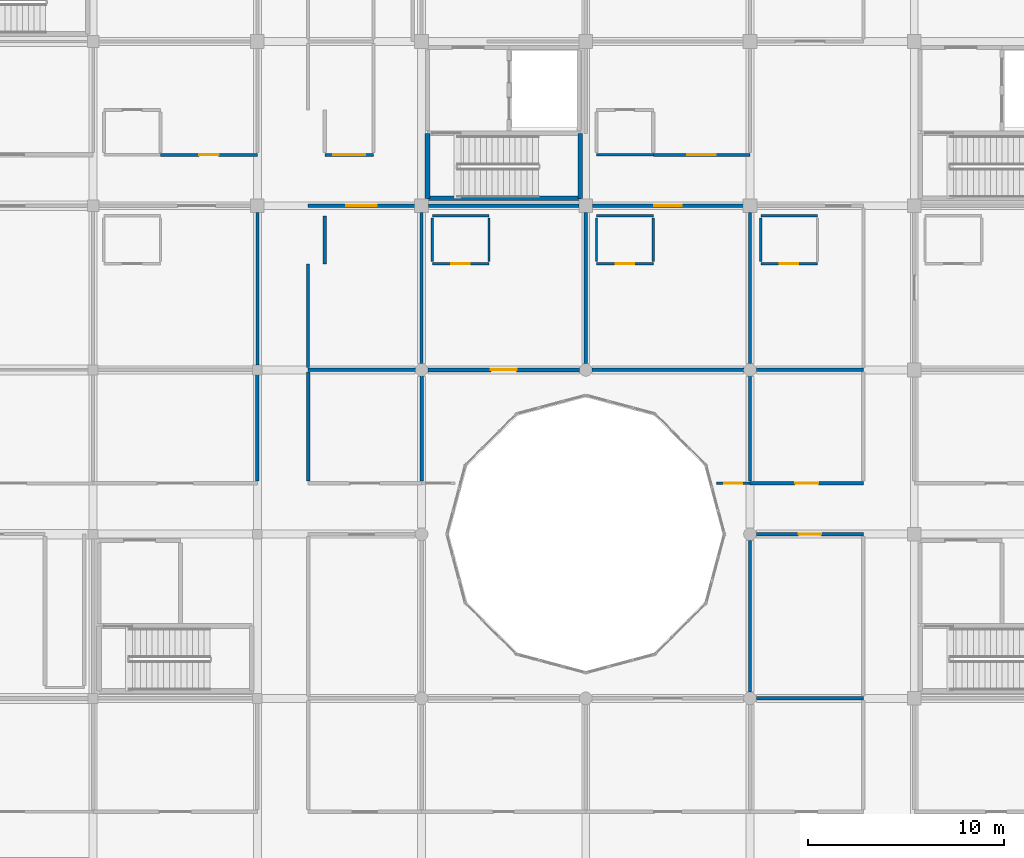
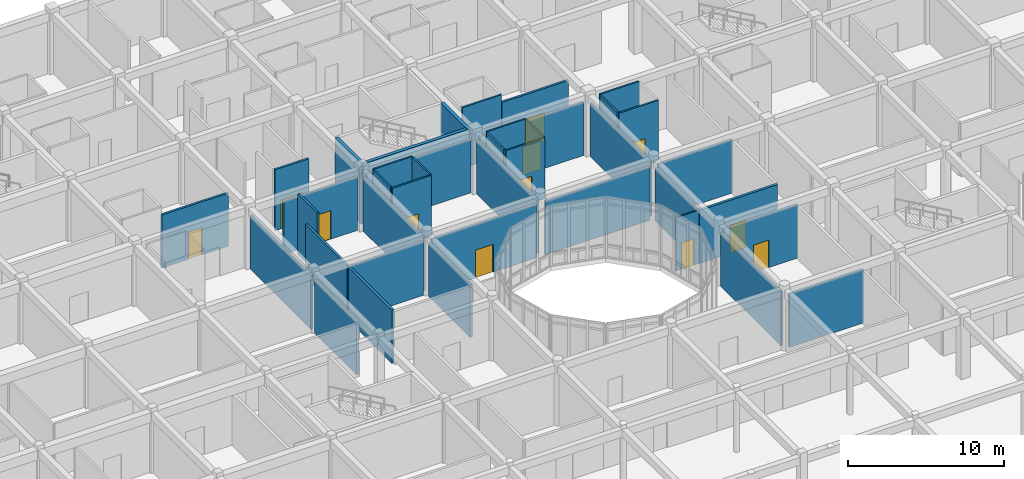
# One storey, part 102 of 134: 40 walls, 12 doors, 12 openings.
"""IFC4 building model written with IfcOpenShell, lengths in metres."""

from ifc_helpers import new_model, si_unit, direction, frame, frame_2d, origin, place, context, subcontext, project, spatial, rectangle, extrude, material, layer, layer_set, type_object, element, fill, save


model = new_model("IFC4")

# Units and contexts
model_context = context("Model", 3, precision=1e-05, world=origin(), true_north=direction((0.0, 1.0)))
body_context = subcontext(model_context, "Body", "Model", "MODEL_VIEW")
ifc_project = project(units=[si_unit("LENGTHUNIT", "METRE"), si_unit("AREAUNIT", "SQUARE_METRE"), si_unit("VOLUMEUNIT", "CUBIC_METRE"), si_unit("PLANEANGLEUNIT", "RADIAN"), si_unit("MASSUNIT", "GRAM", prefix="KILO")], contexts=[model_context])

# Site, building, storey
site_placement = place(None, origin())
site = spatial("IfcSite", under=ifc_project, at=site_placement, CompositionType="ELEMENT")
building_placement = place(site_placement, origin())
building = spatial("IfcBuilding", under=site, at=building_placement, Name="Bramfleet General Hospital", CompositionType="ELEMENT")
storey_placement = place(building_placement, frame((0.0, 0.0, 9.300048828125)))
storey = spatial("IfcBuildingStorey", under=building, at=storey_placement, Name="L02", CompositionType="ELEMENT", Elevation=9.300048828125)

# Wall, opening, door
ifc_material_1 = material(Name="Concrete C35/45", Category="concrete")
ifc_layer_1 = layer(ifc_material_1, 0.18994140625, Name="WT-IW-03")
ifc_layer_set_1 = layer_set([ifc_layer_1], Name="Concrete C35/45")
wall_type_1 = type_object("IfcWallType", Name="WT-IW-03", PredefinedType="PARTITIONING", material=ifc_layer_set_1)
wall_1_placement = place(storey_placement, frame((75.919921875, 84.0, 0.0), z_axis=(0.0, 0.0, 1.0), x_axis=(1.0, 0.0, 0.0)))
wall_1 = element("IfcWall", 1, at=wall_1_placement, inside=storey, type_object=wall_type_1, Name="L02 Interior Partition IW-L02-2055", PredefinedType="PARTITIONING", context=body_context, shape_type="SweptSolid", body=[
    extrude(rectangle(XDim=7.760009765625, YDim=0.18994140625, at=frame_2d((3.8798828125, 0.0))), origin(), (0.0, 0.0, 1.0), 4.169921875),
])
opening_1_placement = place(wall_1_placement, frame((3.219970703125, 0.0, 0.0)))
opening_1 = element("IfcOpeningElement", 2, at=opening_1_placement, cuts=wall_1, Name="Opening D0920", PredefinedType="OPENING", context=body_context, shape_type="SweptSolid", body=[
    extrude(rectangle(XDim=1.320068359375, YDim=2.179931640625, at=frame_2d((0.66015625, 1.08984375))), frame((0.0, 0.10498046875, 0.0), z_axis=(0.0, -1.0, 0.0), x_axis=(1.0, 0.0, 0.0)), (0.0, 0.0, 1.0), 0.2099609375),
])
ifc_material_2 = material(Name="Stainless steel and acoustic timber leaf", Category="steel")
door_type_1 = type_object("IfcDoorType", Name="DR-D-24", OperationType="NOTDEFINED", PredefinedType="DOOR", material=ifc_material_2)
door_1_placement = place(opening_1_placement, origin())
door_1 = element("IfcDoor", 3, at=door_1_placement, inside=storey, type_object=door_type_1, Name="Intensive Care Unit Room L02-0910 Door D0920", OperationType="SINGLE_SWING_LEFT", OverallHeight=2.179931640625, OverallWidth=1.320068359375, PredefinedType="DOOR", context=body_context, shape_type="SweptSolid", body=[
    extrude(rectangle(XDim=1.320068359375, YDim=2.179931640625, at=frame_2d((0.66015625, 1.08984375))), frame((0.0, 0.02490234375, 0.0), z_axis=(0.0, -1.0, 0.0), x_axis=(1.0, 0.0, 0.0)), (0.0, 0.0, 1.0), 0.050048828125),
])
fill(opening_1, door_1)

# Wall
ifc_layer_2 = layer(ifc_material_1, 0.179931640625, Name="WT-IW-04")
ifc_layer_set_2 = layer_set([ifc_layer_2], Name="Concrete C35/45")
wall_type_2 = type_object("IfcWallType", Name="WT-IW-04", PredefinedType="PARTITIONING", material=ifc_layer_set_2)
wall_2_placement = place(storey_placement, frame((92.719970703125, 67.199951171875, 0.0), z_axis=(0.0, 0.0, 1.0), x_axis=(1.0, 0.0, 0.0)))
element("IfcWall", 4, at=wall_2_placement, inside=storey, type_object=wall_type_2, Name="L02 Interior Partition IW-L02-2011", PredefinedType="PARTITIONING", context=body_context, shape_type="SweptSolid", body=[
    extrude(rectangle(XDim=5.47998046875, YDim=0.179931640625, at=frame_2d((2.739990234375, 0.0))), origin(), (0.0, 0.0, 1.0), 4.169921875),
])

# Wall, opening, door
wall_3_placement = place(storey_placement, frame((92.719970703125, 75.60009765625, 0.0), z_axis=(0.0, 0.0, 1.0), x_axis=(1.0, 0.0, 0.0)))
wall_3 = element("IfcWall", 5, at=wall_3_placement, inside=storey, type_object=wall_type_2, Name="L02 Interior Partition IW-L02-2024", PredefinedType="PARTITIONING", context=body_context, shape_type="SweptSolid", body=[
    extrude(rectangle(XDim=5.47998046875, YDim=0.179931640625, at=frame_2d((2.739990234375, 0.0))), origin(), (0.0, 0.0, 1.0), 4.169921875),
])
opening_2_placement = place(wall_3_placement, frame((2.1650390625, 0.0, 0.0)))
opening_2 = element("IfcOpeningElement", 6, at=opening_2_placement, cuts=wall_3, Name="Opening D0940", PredefinedType="OPENING", context=body_context, shape_type="SweptSolid", body=[
    extrude(rectangle(XDim=1.14990234375, YDim=2.14990234375, at=frame_2d((0.574951171875, 1.074951171875))), frame((0.0, 0.099853515625, 0.0), z_axis=(0.0, -1.0, 0.0), x_axis=(1.0, 0.0, 0.0)), (0.0, 0.0, 1.0), 0.199951171875),
])
door_type_2 = type_object("IfcDoorType", Name="DR-D-12", OperationType="NOTDEFINED", PredefinedType="DOOR", material=ifc_material_2)
door_2_placement = place(opening_2_placement, origin())
door_2 = element("IfcDoor", 7, at=door_2_placement, inside=storey, type_object=door_type_2, Name="Interventional Cardiology Cath Lab L02-1108 Door D0940", OperationType="SINGLE_SWING_LEFT", OverallHeight=2.14990234375, OverallWidth=1.14990234375, PredefinedType="DOOR", context=body_context, shape_type="SweptSolid", body=[
    extrude(rectangle(XDim=1.14990234375, YDim=2.14990234375, at=frame_2d((0.574951171875, 1.074951171875))), frame((0.0, 0.02490234375, 0.0), z_axis=(0.0, -1.0, 0.0), x_axis=(1.0, 0.0, 0.0)), (0.0, 0.0, 1.0), 0.050048828125),
])
fill(opening_2, door_2)

wall_4_placement = place(storey_placement, frame((92.39990234375, 78.199951171875, 0.0), z_axis=(0.0, 0.0, 1.0), x_axis=(1.0, 0.0, 0.0)))
wall_4 = element("IfcWall", 8, at=wall_4_placement, inside=storey, type_object=wall_type_2, Name="L02 Interior Partition IW-L02-2040", PredefinedType="PARTITIONING", context=body_context, shape_type="SweptSolid", body=[
    extrude(rectangle(XDim=5.800048828125, YDim=0.179931640625, at=frame_2d((2.89990234375, 0.0))), origin(), (0.0, 0.0, 1.0), 4.169921875),
])
opening_3_placement = place(wall_4_placement, frame((2.300048828125, 0.0, 0.0)))
opening_3 = element("IfcOpeningElement", 9, at=opening_3_placement, cuts=wall_4, Name="Opening D0941", PredefinedType="OPENING", context=body_context, shape_type="SweptSolid", body=[
    extrude(rectangle(XDim=1.199951171875, YDim=2.14990234375, at=frame_2d((0.60009765625, 1.074951171875))), frame((0.0, 0.099853515625, 0.0), z_axis=(0.0, -1.0, 0.0), x_axis=(1.0, 0.0, 0.0)), (0.0, 0.0, 1.0), 0.199951171875),
])
door_type_3 = type_object("IfcDoorType", Name="DR-D-13", OperationType="NOTDEFINED", PredefinedType="DOOR", material=ifc_material_2)
door_3_placement = place(opening_3_placement, origin())
door_3 = element("IfcDoor", 10, at=door_3_placement, inside=storey, type_object=door_type_3, Name="Interventional Cardiology Cath Lab L02-1109 Door D0941", OperationType="SINGLE_SWING_RIGHT", OverallHeight=2.14990234375, OverallWidth=1.199951171875, PredefinedType="DOOR", context=body_context, shape_type="SweptSolid", body=[
    extrude(rectangle(XDim=1.199951171875, YDim=2.14990234375, at=frame_2d((0.60009765625, 1.074951171875))), frame((0.0, 0.02490234375, 0.0), z_axis=(0.0, -1.0, 0.0), x_axis=(1.0, 0.0, 0.0)), (0.0, 0.0, 1.0), 0.050048828125),
])
fill(opening_3, door_3)

# Walls
wall_5_placement = place(storey_placement, frame((69.800048828125, 84.0, 0.0), z_axis=(0.0, 0.0, 1.0), x_axis=(1.0, 0.0, 0.0)))
element("IfcWall", 11, at=wall_5_placement, inside=storey, type_object=wall_type_2, Name="L02 Interior Partition IW-L02-2054", PredefinedType="PARTITIONING", context=body_context, shape_type="SweptSolid", body=[
    extrude(rectangle(XDim=5.47998046875, YDim=0.179931640625, at=frame_2d((2.739990234375, 0.0))), origin(), (0.0, 0.0, 1.0), 4.169921875),
])
wall_6_placement = place(storey_placement, frame((84.320068359375, 84.0, 0.0), z_axis=(0.0, 0.0, 1.0), x_axis=(1.0, 0.0, 0.0)))
element("IfcWall", 12, at=wall_6_placement, inside=storey, type_object=wall_type_2, Name="L02 Interior Partition IW-L02-2056", PredefinedType="PARTITIONING", context=body_context, shape_type="SweptSolid", body=[
    extrude(rectangle(XDim=7.760009765625, YDim=0.179931640625, at=frame_2d((3.8798828125, 0.0))), origin(), (0.0, 0.0, 1.0), 4.169921875),
])
wall_7_placement = place(storey_placement, frame((92.719970703125, 84.0, 0.0), z_axis=(0.0, 0.0, 1.0), x_axis=(1.0, 0.0, 0.0)))
element("IfcWall", 13, at=wall_7_placement, inside=storey, type_object=wall_type_2, Name="L02 Interior Partition IW-L02-2057", PredefinedType="PARTITIONING", context=body_context, shape_type="SweptSolid", body=[
    extrude(rectangle(XDim=5.47998046875, YDim=0.179931640625, at=frame_2d((2.739990234375, 0.0))), origin(), (0.0, 0.0, 1.0), 4.169921875),
])
wall_8_placement = place(storey_placement, frame((67.199951171875, 78.31494140625, 0.0), z_axis=(0.0, 0.0, 1.0), x_axis=(0.0, 1.0, 0.0)))
element("IfcWall", 14, at=wall_8_placement, inside=storey, type_object=wall_type_2, Name="L02 Interior Partition IW-L02-2288", PredefinedType="PARTITIONING", context=body_context, shape_type="SweptSolid", body=[
    extrude(rectangle(XDim=5.43994140625, YDim=0.179931640625, at=frame_2d((2.719970703125, 0.0))), origin(), (0.0, 0.0, 1.0), 4.169921875),
])
wall_9_placement = place(storey_placement, frame((69.800048828125, 78.31494140625, 0.0), z_axis=(0.0, 0.0, 1.0), x_axis=(0.0, 1.0, 0.0)))
element("IfcWall", 15, at=wall_9_placement, inside=storey, type_object=wall_type_2, Name="L02 Interior Partition IW-L02-2295", PredefinedType="PARTITIONING", context=body_context, shape_type="SweptSolid", body=[
    extrude(rectangle(XDim=5.570068359375, YDim=0.179931640625, at=frame_2d((2.78515625, 0.0))), origin(), (0.0, 0.0, 1.0), 4.169921875),
])
wall_10_placement = place(storey_placement, frame((75.60009765625, 78.31494140625, 0.0), z_axis=(0.0, 0.0, 1.0), x_axis=(0.0, 1.0, 0.0)))
element("IfcWall", 16, at=wall_10_placement, inside=storey, type_object=wall_type_2, Name="L02 Interior Partition IW-L02-2309", PredefinedType="PARTITIONING", context=body_context, shape_type="SweptSolid", body=[
    extrude(rectangle(XDim=5.364990234375, YDim=0.179931640625, at=frame_2d((2.6826171875, 0.0))), origin(), (0.0, 0.0, 1.0), 4.169921875),
])
ifc_material_3 = material(Name="Gypsum plasterboard on acoustic steel studs", Category="steel")
ifc_layer_3 = layer(ifc_material_3, 0.169921875, Name="WT-IW-05")
ifc_layer_set_3 = layer_set([ifc_layer_3], Name="Gypsum plasterboard on acoustic steel studs")
wall_type_3 = type_object("IfcWallType", Name="WT-IW-05", PredefinedType="PARTITIONING", material=ifc_layer_set_3)
wall_11_placement = place(storey_placement, frame((92.39990234375, 67.52001953125, 0.0), z_axis=(0.0, 0.0, 1.0), x_axis=(0.0, 1.0, 0.0)))
element("IfcWall", 17, at=wall_11_placement, inside=storey, type_object=wall_type_3, Name="L02 Interior Partition IW-L02-2333", PredefinedType="PARTITIONING", context=body_context, shape_type="SweptSolid", body=[
    extrude(rectangle(XDim=7.760009765625, YDim=0.169921875, at=frame_2d((3.8798828125, 0.0))), origin(), (0.0, 0.0, 1.0), 4.169921875),
])

# Wall, opening, door
ifc_layer_4 = layer(ifc_material_3, 0.159912109375, Name="WT-IW-06")
ifc_layer_set_4 = layer_set([ifc_layer_4], Name="Gypsum plasterboard on acoustic steel studs")
wall_type_4 = type_object("IfcWallType", Name="WT-IW-06", PredefinedType="PARTITIONING", material=ifc_layer_set_4)
wall_12_placement = place(storey_placement, frame((69.800048828125, 92.39990234375, 0.0), z_axis=(0.0, 0.0, 1.0), x_axis=(1.0, 0.0, 0.0)))
wall_12 = element("IfcWall", 18, at=wall_12_placement, inside=storey, type_object=wall_type_4, Name="L02 Interior Partition IW-L02-2083", PredefinedType="PARTITIONING", context=body_context, shape_type="SweptSolid", body=[
    extrude(rectangle(XDim=5.454833984375, YDim=0.159912109375, at=frame_2d((2.7275390625, 0.0))), origin(), (0.0, 0.0, 1.0), 4.169921875),
])
opening_4_placement = place(wall_12_placement, frame((1.95751953125, 0.0, 0.0)))
opening_4 = element("IfcOpeningElement", 19, at=opening_4_placement, cuts=wall_12, Name="Opening D0913", PredefinedType="OPENING", context=body_context, shape_type="SweptSolid", body=[
    extrude(rectangle(XDim=1.5400390625, YDim=2.239990234375, at=frame_2d((0.77001953125, 1.1201171875))), frame((0.0, 0.08984375, 0.0), z_axis=(0.0, -1.0, 0.0), x_axis=(1.0, 0.0, 0.0)), (0.0, 0.0, 1.0), 0.179931640625),
])
door_type_4 = type_object("IfcDoorType", Name="DR-D-17", OperationType="NOTDEFINED", PredefinedType="DOOR", material=ifc_material_2)
door_4_placement = place(opening_4_placement, origin())
door_4 = element("IfcDoor", 20, at=door_4_placement, inside=storey, type_object=door_type_4, Name="Intensive Care Unit Room L02-0810 Door D0913", OperationType="SINGLE_SWING_RIGHT", OverallHeight=2.239990234375, OverallWidth=1.5400390625, PredefinedType="DOOR", context=body_context, shape_type="SweptSolid", body=[
    extrude(rectangle(XDim=1.5400390625, YDim=2.239990234375, at=frame_2d((0.77001953125, 1.1201171875))), frame((0.0, 0.02490234375, 0.0), z_axis=(0.0, -1.0, 0.0), x_axis=(1.0, 0.0, 0.0)), (0.0, 0.0, 1.0), 0.050048828125),
])
fill(opening_4, door_4)

# Wall
wall_13_placement = place(storey_placement, frame((75.945068359375, 92.39990234375, 0.0), z_axis=(0.0, 0.0, 1.0), x_axis=(1.0, 0.0, 0.0)))
element("IfcWall", 21, at=wall_13_placement, inside=storey, type_object=wall_type_4, Name="L02 Interior Partition IW-L02-2084", PredefinedType="PARTITIONING", context=body_context, shape_type="SweptSolid", body=[
    extrude(rectangle(XDim=7.7099609375, YDim=0.159912109375, at=frame_2d((3.85498046875, 0.0))), origin(), (0.0, 0.0, 1.0), 4.169921875),
])

# Wall, opening, door
wall_14_placement = place(storey_placement, frame((84.344970703125, 92.39990234375, 0.0), z_axis=(0.0, 0.0, 1.0), x_axis=(1.0, 0.0, 0.0)))
wall_14 = element("IfcWall", 22, at=wall_14_placement, inside=storey, type_object=wall_type_4, Name="L02 Interior Partition IW-L02-2085", PredefinedType="PARTITIONING", context=body_context, shape_type="SweptSolid", body=[
    extrude(rectangle(XDim=7.7099609375, YDim=0.159912109375, at=frame_2d((3.85498046875, 0.0))), origin(), (0.0, 0.0, 1.0), 4.169921875),
])
opening_5_placement = place(wall_14_placement, frame((3.155029296875, 0.0, 0.0)))
opening_5 = element("IfcOpeningElement", 23, at=opening_5_placement, cuts=wall_14, Name="Opening D0929", PredefinedType="OPENING", context=body_context, shape_type="SweptSolid", body=[
    extrude(rectangle(XDim=1.39990234375, YDim=2.199951171875, at=frame_2d((0.699951171875, 1.10009765625))), frame((0.0, 0.08984375, 0.0), z_axis=(0.0, -1.0, 0.0), x_axis=(1.0, 0.0, 0.0)), (0.0, 0.0, 1.0), 0.179931640625),
])
door_type_5 = type_object("IfcDoorType", Name="DR-D-01", OperationType="NOTDEFINED", PredefinedType="DOOR", material=ifc_material_2)
door_5_placement = place(opening_5_placement, origin())
door_5 = element("IfcDoor", 24, at=door_5_placement, inside=storey, type_object=door_type_5, Name="Intensive Care Unit Room L02-1010 Door D0929", OperationType="SINGLE_SWING_RIGHT", OverallHeight=2.199951171875, OverallWidth=1.39990234375, PredefinedType="DOOR", context=body_context, shape_type="SweptSolid", body=[
    extrude(rectangle(XDim=1.39990234375, YDim=2.199951171875, at=frame_2d((0.699951171875, 1.10009765625))), frame((0.0, 0.02490234375, 0.0), z_axis=(0.0, -1.0, 0.0), x_axis=(1.0, 0.0, 0.0)), (0.0, 0.0, 1.0), 0.050048828125),
])
fill(opening_5, door_5)

wall_15_placement = place(storey_placement, frame((62.25, 95.0, 0.0), z_axis=(0.0, 0.0, 1.0), x_axis=(1.0, 0.0, 0.0)))
wall_15 = element("IfcWall", 25, at=wall_15_placement, inside=storey, type_object=wall_type_4, Name="L02 Interior Partition IW-L02-2103", PredefinedType="PARTITIONING", context=body_context, shape_type="SweptSolid", body=[
    extrude(rectangle(XDim=4.949951171875, YDim=0.159912109375, at=frame_2d((2.47509765625, 0.0))), origin(), (0.0, 0.0, 1.0), 4.169921875),
])
opening_6_placement = place(wall_15_placement, frame((1.97509765625, 0.0, 0.0)))
opening_6 = element("IfcOpeningElement", 26, at=opening_6_placement, cuts=wall_15, Name="Opening D0904", PredefinedType="OPENING", context=body_context, shape_type="SweptSolid", body=[
    extrude(rectangle(XDim=1.0, YDim=2.14990234375, at=frame_2d((0.5, 1.074951171875))), frame((0.0, 0.08984375, 0.0), z_axis=(0.0, -1.0, 0.0), x_axis=(1.0, 0.0, 0.0)), (0.0, 0.0, 1.0), 0.179931640625),
])
door_type_6 = type_object("IfcDoorType", Name="DR-D-08", OperationType="NOTDEFINED", PredefinedType="DOOR", material=ifc_material_2)
door_6_placement = place(opening_6_placement, origin())
door_6 = element("IfcDoor", 27, at=door_6_placement, inside=storey, type_object=door_type_6, Name="Intensive Care Unit Room L02-0711 Door D0904", OperationType="SINGLE_SWING_LEFT", OverallHeight=2.14990234375, OverallWidth=1.0, PredefinedType="DOOR", context=body_context, shape_type="SweptSolid", body=[
    extrude(rectangle(XDim=1.0, YDim=2.14990234375, at=frame_2d((0.5, 1.074951171875))), frame((0.0, 0.02490234375, 0.0), z_axis=(0.0, -1.0, 0.0), x_axis=(1.0, 0.0, 0.0)), (0.0, 0.0, 1.0), 0.050048828125),
])
fill(opening_6, door_6)

wall_16_placement = place(storey_placement, frame((70.64990234375, 95.0, 0.0), z_axis=(0.0, 0.0, 1.0), x_axis=(1.0, 0.0, 0.0)))
wall_16 = element("IfcWall", 28, at=wall_16_placement, inside=storey, type_object=wall_type_4, Name="L02 Interior Partition IW-L02-2104", PredefinedType="PARTITIONING", context=body_context, shape_type="SweptSolid", body=[
    extrude(rectangle(XDim=2.5, YDim=0.159912109375, at=frame_2d((1.25, 0.0))), origin(), (0.0, 0.0, 1.0), 4.77001953125),
])
opening_7_placement = place(wall_16_placement, frame((0.429931640625, 0.0, 0.0)))
opening_7 = element("IfcOpeningElement", 29, at=opening_7_placement, cuts=wall_16, Name="Opening D0914", PredefinedType="OPENING", context=body_context, shape_type="SweptSolid", body=[
    extrude(rectangle(XDim=1.639892578125, YDim=2.280029296875, at=frame_2d((0.81982421875, 1.14013671875))), frame((0.0, 0.08984375, 0.0), z_axis=(0.0, -1.0, 0.0), x_axis=(1.0, 0.0, 0.0)), (0.0, 0.0, 1.0), 0.179931640625),
])
door_type_7 = type_object("IfcDoorType", Name="DR-D-18", OperationType="NOTDEFINED", PredefinedType="DOOR", material=ifc_material_2)
door_7_placement = place(opening_7_placement, origin())
door_7 = element("IfcDoor", 30, at=door_7_placement, inside=storey, type_object=door_type_7, Name="Intensive Care Unit Room L02-0811 Door D0914", OperationType="DOUBLE_SWING_LEFT", OverallHeight=2.280029296875, OverallWidth=1.639892578125, PredefinedType="DOOR", context=body_context, shape_type="SweptSolid", body=[
    extrude(rectangle(XDim=1.639892578125, YDim=2.280029296875, at=frame_2d((0.81982421875, 1.14013671875))), frame((0.0, 0.02490234375, 0.0), z_axis=(0.0, -1.0, 0.0), x_axis=(1.0, 0.0, 0.0)), (0.0, 0.0, 1.0), 0.050048828125),
])
fill(opening_7, door_7)

wall_17_placement = place(storey_placement, frame((87.449951171875, 95.0, 0.0), z_axis=(0.0, 0.0, 1.0), x_axis=(1.0, 0.0, 0.0)))
wall_17 = element("IfcWall", 31, at=wall_17_placement, inside=storey, type_object=wall_type_4, Name="L02 Interior Partition IW-L02-2106", PredefinedType="PARTITIONING", context=body_context, shape_type="SweptSolid", body=[
    extrude(rectangle(XDim=4.949951171875, YDim=0.159912109375, at=frame_2d((2.47509765625, 0.0))), origin(), (0.0, 0.0, 1.0), 4.169921875),
])
opening_8_placement = place(wall_17_placement, frame((1.75, 0.0, 0.0)))
opening_8 = element("IfcOpeningElement", 32, at=opening_8_placement, cuts=wall_17, Name="Opening D0931", PredefinedType="OPENING", context=body_context, shape_type="SweptSolid", body=[
    extrude(rectangle(XDim=1.449951171875, YDim=2.199951171875, at=frame_2d((0.72509765625, 1.10009765625))), frame((0.0, 0.08984375, 0.0), z_axis=(0.0, -1.0, 0.0), x_axis=(1.0, 0.0, 0.0)), (0.0, 0.0, 1.0), 0.179931640625),
])
door_type_8 = type_object("IfcDoorType", Name="DR-D-03", OperationType="NOTDEFINED", PredefinedType="DOOR", material=ifc_material_2)
door_8_placement = place(opening_8_placement, origin())
door_8 = element("IfcDoor", 33, at=door_8_placement, inside=storey, type_object=door_type_8, Name="Intensive Care Unit Room L02-1011 Door D0931", OperationType="SINGLE_SWING_RIGHT", OverallHeight=2.199951171875, OverallWidth=1.449951171875, PredefinedType="DOOR", context=body_context, shape_type="SweptSolid", body=[
    extrude(rectangle(XDim=1.449951171875, YDim=2.199951171875, at=frame_2d((0.72509765625, 1.10009765625))), frame((0.0, 0.02490234375, 0.0), z_axis=(0.0, -1.0, 0.0), x_axis=(1.0, 0.0, 0.0)), (0.0, 0.0, 1.0), 0.050048828125),
])
fill(opening_8, door_8)

# Walls
wall_18_placement = place(storey_placement, frame((67.199951171875, 84.2451171875, 0.0), z_axis=(0.0, 0.0, 1.0), x_axis=(0.0, 1.0, 0.0)))
element("IfcWall", 34, at=wall_18_placement, inside=storey, type_object=wall_type_4, Name="L02 Interior Partition IW-L02-2289", PredefinedType="PARTITIONING", context=body_context, shape_type="SweptSolid", body=[
    extrude(rectangle(XDim=7.809814453125, YDim=0.159912109375, at=frame_2d((3.90478515625, 0.0))), origin(), (0.0, 0.0, 1.0), 4.169921875),
])
wall_19_placement = place(storey_placement, frame((69.800048828125, 84.114990234375, 0.0), z_axis=(0.0, 0.0, 1.0), x_axis=(0.0, 1.0, 0.0)))
element("IfcWall", 35, at=wall_19_placement, inside=storey, type_object=wall_type_4, Name="L02 Interior Partition IW-L02-2296", PredefinedType="PARTITIONING", context=body_context, shape_type="SweptSolid", body=[
    extrude(rectangle(XDim=5.31494140625, YDim=0.159912109375, at=frame_2d((2.657470703125, 0.0))), origin(), (0.0, 0.0, 1.0), 4.169921875),
])
wall_20_placement = place(storey_placement, frame((70.64990234375, 89.429931640625, 0.0), z_axis=(0.0, 0.0, 1.0), x_axis=(0.0, 1.0, 0.0)))
element("IfcWall", 36, at=wall_20_placement, inside=storey, type_object=wall_type_4, Name="L02 Interior Partition IW-L02-2300", PredefinedType="PARTITIONING", context=body_context, shape_type="SweptSolid", body=[
    extrude(rectangle(XDim=2.449951171875, YDim=0.159912109375, at=frame_2d((1.22509765625, 0.0))), origin(), (0.0, 0.0, 1.0), 4.77001953125),
])
for number, where, z_axis, x_axis, name in (
    (37, (75.60009765625, 84.320068359375, 0.0), (0.0, 0.0, 1.0), (0.0, 1.0, 0.0), "L02 Interior Partition IW-L02-2310"),
    (38, (84.0, 84.320068359375, 0.0), (0.0, 0.0, 1.0), (0.0, 1.0, 0.0), "L02 Interior Partition IW-L02-2320"),
):
    element("IfcWall", number, at=place(storey_placement, frame(where, z_axis=z_axis, x_axis=x_axis)), inside=storey, type_object=wall_type_4, Name=name, PredefinedType="PARTITIONING", context=body_context, shape_type="SweptSolid", body=[
        extrude(rectangle(XDim=7.73486328125, YDim=0.159912109375, at=frame_2d((3.867431640625, 0.0))), origin(), (0.0, 0.0, 1.0), 4.169921875),
    ])
wall_21_placement = place(storey_placement, frame((92.39990234375, 78.31494140625, 0.0), z_axis=(0.0, 0.0, 1.0), x_axis=(0.0, 1.0, 0.0)))
element("IfcWall", 39, at=wall_21_placement, inside=storey, type_object=wall_type_4, Name="L02 Interior Partition IW-L02-2334", PredefinedType="PARTITIONING", context=body_context, shape_type="SweptSolid", body=[
    extrude(rectangle(XDim=5.364990234375, YDim=0.159912109375, at=frame_2d((2.6826171875, 0.0))), origin(), (0.0, 0.0, 1.0), 4.169921875),
])
wall_22_placement = place(storey_placement, frame((92.39990234375, 84.320068359375, 0.0), z_axis=(0.0, 0.0, 1.0), x_axis=(0.0, 1.0, 0.0)))
element("IfcWall", 40, at=wall_22_placement, inside=storey, type_object=wall_type_4, Name="L02 Interior Partition IW-L02-2335", PredefinedType="PARTITIONING", context=body_context, shape_type="SweptSolid", body=[
    extrude(rectangle(XDim=7.73486328125, YDim=0.159912109375, at=frame_2d((3.867431640625, 0.0))), origin(), (0.0, 0.0, 1.0), 4.169921875),
])

# Wall, opening, door
ifc_layer_5 = layer(ifc_material_3, 0.1201171875, Name="WT-IW-10")
ifc_layer_set_5 = layer_set([ifc_layer_5], Name="Gypsum plasterboard on acoustic steel studs")
wall_type_5 = type_object("IfcWallType", Name="WT-IW-10", PredefinedType="PARTITIONING", material=ifc_layer_set_5)
wall_23_placement = place(storey_placement, frame((76.14990234375, 89.429931640625, 0.0), z_axis=(0.0, 0.0, 1.0), x_axis=(1.0, 0.0, 0.0)))
wall_23 = element("IfcWall", 41, at=wall_23_placement, inside=storey, type_object=wall_type_5, Name="L02 Interior Partition IW-L02-2066", PredefinedType="PARTITIONING", context=body_context, shape_type="SweptSolid", body=[
    extrude(rectangle(XDim=2.900146484375, YDim=0.1201171875, at=frame_2d((1.4501953125, 0.0))), origin(), (0.0, 0.0, 1.0), 4.77001953125),
])
opening_9_placement = place(wall_23_placement, frame((0.97509765625, 0.0, 0.0)))
opening_9 = element("IfcOpeningElement", 42, at=opening_9_placement, cuts=wall_23, Name="Opening D0921", PredefinedType="OPENING", context=body_context, shape_type="SweptSolid", body=[
    extrude(rectangle(XDim=0.949951171875, YDim=2.10009765625, at=frame_2d((0.47509765625, 1.050048828125))), frame((0.0, 0.070068359375, 0.0), z_axis=(0.0, -1.0, 0.0), x_axis=(1.0, 0.0, 0.0)), (0.0, 0.0, 1.0), 0.14013671875),
])
door_type_9 = type_object("IfcDoorType", Name="DR-D-10", OperationType="NOTDEFINED", PredefinedType="DOOR", material=ifc_material_2)
door_9_placement = place(opening_9_placement, origin())
door_9 = element("IfcDoor", 43, at=door_9_placement, inside=storey, type_object=door_type_9, Name="Intensive Care En-Suite WC L02-0910 Door D0921", OperationType="SINGLE_SWING_LEFT", OverallHeight=2.10009765625, OverallWidth=0.949951171875, PredefinedType="DOOR", context=body_context, shape_type="SweptSolid", body=[
    extrude(rectangle(XDim=0.949951171875, YDim=2.10009765625, at=frame_2d((0.47509765625, 1.050048828125))), frame((0.0, 0.02490234375, 0.0), z_axis=(0.0, -1.0, 0.0), x_axis=(1.0, 0.0, 0.0)), (0.0, 0.0, 1.0), 0.050048828125),
])
fill(opening_9, door_9)

wall_24_placement = place(storey_placement, frame((84.550048828125, 89.429931640625, 0.0), z_axis=(0.0, 0.0, 1.0), x_axis=(1.0, 0.0, 0.0)))
wall_24 = element("IfcWall", 44, at=wall_24_placement, inside=storey, type_object=wall_type_5, Name="L02 Interior Partition IW-L02-2067", PredefinedType="PARTITIONING", context=body_context, shape_type="SweptSolid", body=[
    extrude(rectangle(XDim=2.89990234375, YDim=0.1201171875, at=frame_2d((1.449951171875, 0.0))), origin(), (0.0, 0.0, 1.0), 4.77001953125),
])
opening_10_placement = place(wall_24_placement, frame((0.97509765625, 0.0, 0.0)))
opening_10 = element("IfcOpeningElement", 45, at=opening_10_placement, cuts=wall_24, Name="Opening D0930", PredefinedType="OPENING", context=body_context, shape_type="SweptSolid", body=[
    extrude(rectangle(XDim=0.949951171875, YDim=2.10009765625, at=frame_2d((0.47509765625, 1.050048828125))), frame((0.0, 0.070068359375, 0.0), z_axis=(0.0, -1.0, 0.0), x_axis=(1.0, 0.0, 0.0)), (0.0, 0.0, 1.0), 0.14013671875),
])
door_10_placement = place(opening_10_placement, origin())
door_10 = element("IfcDoor", 46, at=door_10_placement, inside=storey, type_object=door_type_9, Name="Intensive Care En-Suite WC L02-1010 Door D0930", OperationType="SINGLE_SWING_LEFT", OverallHeight=2.10009765625, OverallWidth=0.949951171875, PredefinedType="DOOR", context=body_context, shape_type="SweptSolid", body=[
    extrude(rectangle(XDim=0.949951171875, YDim=2.10009765625, at=frame_2d((0.47509765625, 1.050048828125))), frame((0.0, 0.02490234375, 0.0), z_axis=(0.0, -1.0, 0.0), x_axis=(1.0, 0.0, 0.0)), (0.0, 0.0, 1.0), 0.050048828125),
])
fill(opening_10, door_10)

wall_25_placement = place(storey_placement, frame((92.949951171875, 89.429931640625, 0.0), z_axis=(0.0, 0.0, 1.0), x_axis=(1.0, 0.0, 0.0)))
wall_25 = element("IfcWall", 47, at=wall_25_placement, inside=storey, type_object=wall_type_5, Name="L02 Interior Partition IW-L02-2068", PredefinedType="PARTITIONING", context=body_context, shape_type="SweptSolid", body=[
    extrude(rectangle(XDim=2.900146484375, YDim=0.1201171875, at=frame_2d((1.4501953125, 0.0))), origin(), (0.0, 0.0, 1.0), 4.77001953125),
])
opening_11_placement = place(wall_25_placement, frame((0.97509765625, 0.0, 0.0)))
opening_11 = element("IfcOpeningElement", 48, at=opening_11_placement, cuts=wall_25, Name="Opening D0943", PredefinedType="OPENING", context=body_context, shape_type="SweptSolid", body=[
    extrude(rectangle(XDim=0.949951171875, YDim=2.10009765625, at=frame_2d((0.47509765625, 1.050048828125))), frame((0.0, 0.070068359375, 0.0), z_axis=(0.0, -1.0, 0.0), x_axis=(1.0, 0.0, 0.0)), (0.0, 0.0, 1.0), 0.14013671875),
])
door_11_placement = place(opening_11_placement, origin())
door_11 = element("IfcDoor", 49, at=door_11_placement, inside=storey, type_object=door_type_9, Name="Intensive Care En-Suite WC L02-1110 Door D0943", OperationType="SINGLE_SWING_LEFT", OverallHeight=2.10009765625, OverallWidth=0.949951171875, PredefinedType="DOOR", context=body_context, shape_type="SweptSolid", body=[
    extrude(rectangle(XDim=0.949951171875, YDim=2.10009765625, at=frame_2d((0.47509765625, 1.050048828125))), frame((0.0, 0.02490234375, 0.0), z_axis=(0.0, -1.0, 0.0), x_axis=(1.0, 0.0, 0.0)), (0.0, 0.0, 1.0), 0.050048828125),
])
fill(opening_11, door_11)

# Walls
wall_26_placement = place(storey_placement, frame((76.14990234375, 91.8798828125, 0.0), z_axis=(0.0, 0.0, 1.0), x_axis=(1.0, 0.0, 0.0)))
element("IfcWall", 50, at=wall_26_placement, inside=storey, type_object=wall_type_5, Name="L02 Interior Partition IW-L02-2071", PredefinedType="PARTITIONING", context=body_context, shape_type="SweptSolid", body=[
    extrude(rectangle(XDim=2.900146484375, YDim=0.1201171875, at=frame_2d((1.4501953125, 0.0))), origin(), (0.0, 0.0, 1.0), 4.77001953125),
])
wall_27_placement = place(storey_placement, frame((84.550048828125, 91.8798828125, 0.0), z_axis=(0.0, 0.0, 1.0), x_axis=(1.0, 0.0, 0.0)))
element("IfcWall", 51, at=wall_27_placement, inside=storey, type_object=wall_type_5, Name="L02 Interior Partition IW-L02-2072", PredefinedType="PARTITIONING", context=body_context, shape_type="SweptSolid", body=[
    extrude(rectangle(XDim=2.89990234375, YDim=0.1201171875, at=frame_2d((1.449951171875, 0.0))), origin(), (0.0, 0.0, 1.0), 4.77001953125),
])
wall_28_placement = place(storey_placement, frame((92.949951171875, 91.8798828125, 0.0), z_axis=(0.0, 0.0, 1.0), x_axis=(1.0, 0.0, 0.0)))
element("IfcWall", 52, at=wall_28_placement, inside=storey, type_object=wall_type_5, Name="L02 Interior Partition IW-L02-2073", PredefinedType="PARTITIONING", context=body_context, shape_type="SweptSolid", body=[
    extrude(rectangle(XDim=2.900146484375, YDim=0.1201171875, at=frame_2d((1.4501953125, 0.0))), origin(), (0.0, 0.0, 1.0), 4.77001953125),
])
wall_29_placement = place(storey_placement, frame((84.550048828125, 95.0, 0.0), z_axis=(0.0, 0.0, 1.0), x_axis=(1.0, 0.0, 0.0)))
element("IfcWall", 53, at=wall_29_placement, inside=storey, type_object=wall_type_5, Name="L02 Interior Partition IW-L02-2105", PredefinedType="PARTITIONING", context=body_context, shape_type="SweptSolid", body=[
    extrude(rectangle(XDim=2.89990234375, YDim=0.1201171875, at=frame_2d((1.449951171875, 0.0))), origin(), (0.0, 0.0, 1.0), 4.77001953125),
])
for number, where, z_axis, x_axis, name in (
    (54, (76.14990234375, 89.544921875, 0.0), (0.0, 0.0, 1.0), (0.0, 1.0, 0.0), "L02 Interior Partition IW-L02-2313"),
    (55, (79.050048828125, 89.544921875, 0.0), (0.0, 0.0, 1.0), (0.0, 1.0, 0.0), "L02 Interior Partition IW-L02-2316"),
    (56, (84.550048828125, 89.544921875, 0.0), (0.0, 0.0, 1.0), (0.0, 1.0, 0.0), "L02 Interior Partition IW-L02-2324"),
    (57, (87.449951171875, 89.544921875, 0.0), (0.0, 0.0, 1.0), (0.0, 1.0, 0.0), "L02 Interior Partition IW-L02-2328"),
    (58, (92.949951171875, 89.544921875, 0.0), (0.0, 0.0, 1.0), (0.0, 1.0, 0.0), "L02 Interior Partition IW-L02-2339"),
):
    element("IfcWall", number, at=place(storey_placement, frame(where, z_axis=z_axis, x_axis=x_axis)), inside=storey, type_object=wall_type_5, Name=name, PredefinedType="PARTITIONING", context=body_context, shape_type="SweptSolid", body=[
        extrude(rectangle(XDim=2.219970703125, YDim=0.1201171875, at=frame_2d((1.10986328125, 0.0))), origin(), (0.0, 0.0, 1.0), 4.77001953125),
    ])

# Wall, opening, door
ifc_layer_6 = layer(ifc_material_3, 0.112060546875, Name="WT-IW-11")
ifc_layer_set_6 = layer_set([ifc_layer_6], Name="Gypsum plasterboard on acoustic steel studs")
wall_type_6 = type_object("IfcWallType", Name="WT-IW-11", PredefinedType="PARTITIONING", material=ifc_layer_set_6)
wall_30_placement = place(storey_placement, frame((90.693359375, 78.199951171875, 0.0), z_axis=(0.0, 0.0, 1.0), x_axis=(1.0, 0.0, 0.0)))
wall_30 = element("IfcWall", 59, at=wall_30_placement, inside=storey, type_object=wall_type_6, Name="L02 Interior Partition IW-L02-2039", PredefinedType="PARTITIONING", context=body_context, shape_type="SweptSolid", body=[
    extrude(rectangle(XDim=1.70654296875, YDim=0.112060546875, at=frame_2d((0.853271484375, 0.0))), origin(), (0.0, 0.0, 1.0), 4.169921875),
])
opening_12_placement = place(wall_30_placement, frame((0.393310546875, 0.0, 0.0)))
opening_12 = element("IfcOpeningElement", 60, at=opening_12_placement, cuts=wall_30, Name="Opening D0928", PredefinedType="OPENING", context=body_context, shape_type="SweptSolid", body=[
    extrude(rectangle(XDim=0.919921875, YDim=2.080078125, at=frame_2d((0.4599609375, 1.0400390625))), frame((0.0, 0.06591796875, 0.0), z_axis=(0.0, -1.0, 0.0), x_axis=(1.0, 0.0, 0.0)), (0.0, 0.0, 1.0), 0.132080078125),
])
door_type_10 = type_object("IfcDoorType", Name="DR-D-25", OperationType="NOTDEFINED", PredefinedType="DOOR", material=ifc_material_2)
door_12_placement = place(opening_12_placement, origin())
door_12 = element("IfcDoor", 61, at=door_12_placement, inside=storey, type_object=door_type_10, Name="Courtyard Waiting Lounge L02-1009 Door D0928", OperationType="SINGLE_SWING_LEFT", OverallHeight=2.080078125, OverallWidth=0.919921875, PredefinedType="DOOR", context=body_context, shape_type="SweptSolid", body=[
    extrude(rectangle(XDim=0.919921875, YDim=2.080078125, at=frame_2d((0.4599609375, 1.0400390625))), frame((0.0, 0.02490234375, 0.0), z_axis=(0.0, -1.0, 0.0), x_axis=(1.0, 0.0, 0.0)), (0.0, 0.0, 1.0), 0.050048828125),
])
fill(opening_12, door_12)

# Walls
ifc_material_4 = material(Name="Concrete C40/50", Category="concrete")
ifc_layer_7 = layer(ifc_material_4, 0.239990234375, Name="WT-SW-240")
ifc_layer_set_7 = layer_set([ifc_layer_7], Name="Concrete C40/50")
wall_type_7 = type_object("IfcWallType", Name="WT-SW-240", PredefinedType="SHEAR", material=ifc_layer_set_7)
wall_31_placement = place(storey_placement, frame((75.89990234375, 92.780029296875, 0.0), z_axis=(0.0, 0.0, 1.0), x_axis=(1.0, 0.0, 0.0)))
element("IfcWall", 62, at=wall_31_placement, inside=storey, type_object=wall_type_7, Name="L02 C5 South Stair Shear Wall", PredefinedType="SHEAR", context=body_context, shape_type="SweptSolid", body=[
    extrude(rectangle(XDim=7.820068359375, YDim=0.239990234375, at=frame_2d((3.91015625, 0.0))), origin(), (0.0, 0.0, 1.0), 4.780029296875),
])
for number, where, z_axis, x_axis, name in (
    (63, (75.89990234375, 92.780029296875, 0.0), (0.0, 0.0, 1.0), (0.0, 1.0, 0.0), "L02 C5 West Stair Shear Wall"),
    (64, (83.719970703125, 92.780029296875, 0.0), (0.0, 0.0, 1.0), (0.0, 1.0, 0.0), "L02 C5 East Stair Shear Wall"),
):
    element("IfcWall", number, at=place(storey_placement, frame(where, z_axis=z_axis, x_axis=x_axis)), inside=storey, type_object=wall_type_7, Name=name, PredefinedType="SHEAR", context=body_context, shape_type="SweptSolid", body=[
        extrude(rectangle(XDim=3.320068359375, YDim=0.239990234375, at=frame_2d((1.66015625, 0.0))), origin(), (0.0, 0.0, 1.0), 4.780029296875),
    ])

save(model, "model.ifc")
